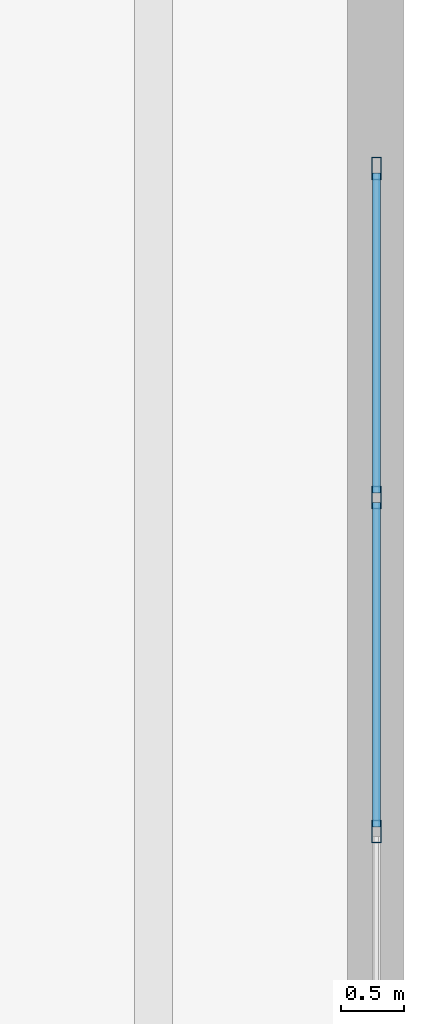
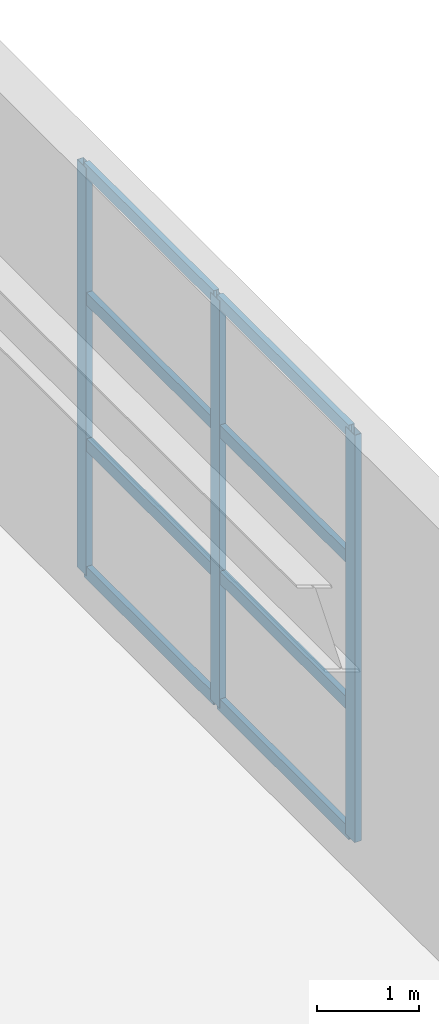
# One storey, part 16 of 34: 11 members, 1 element without a shape of its own.
"""IFC4 building model written with IfcOpenShell, lengths in metres."""

from ifc_helpers import new_model, si_unit, direction, frame, origin, origin_2d, place, context, subcontext, project, spatial, hollow_rectangle, extrude, material, layer, layer_set, material_profile, profile_set, type_object, element, aggregate, save


model = new_model("IFC4")

# Units and contexts
model_context = context("Model", 3, precision=1e-05, world=origin(), true_north=direction((0.0, 1.0)))
body_context = subcontext(model_context, "Body", "Model", "MODEL_VIEW")
ifc_project = project(units=[si_unit("LENGTHUNIT", "METRE"), si_unit("AREAUNIT", "SQUARE_METRE"), si_unit("VOLUMEUNIT", "CUBIC_METRE"), si_unit("PLANEANGLEUNIT", "RADIAN"), si_unit("MASSUNIT", "GRAM", prefix="KILO")], contexts=[model_context])

# Site, building, storey
site_placement = place(None, origin())
site = spatial("IfcSite", under=ifc_project, at=site_placement, CompositionType="ELEMENT")
building_placement = place(site_placement, origin())
building = spatial("IfcBuilding", under=site, at=building_placement, Name="Qiaolan Cultural Towers", CompositionType="ELEMENT")
storey_placement = place(building_placement, frame((0.0, 0.0, 16.5)))
storey = spatial("IfcBuildingStorey", under=building, at=storey_placement, Name="L03", CompositionType="ELEMENT", Elevation=16.5)

# Curtain wall, members
ifc_material_1 = material(Name="Unitized Anodized Aluminium Curtain Wall System", Category="aluminium")
ifc_layer = layer(ifc_material_1, 0.199951171875)
ifc_layer_set = layer_set([ifc_layer], Name="Unitized Anodized Aluminium Curtain Wall System")
curtain_wall_type = type_object("IfcCurtainWallType", Name="CWS-04", PredefinedType="NOTDEFINED", material=ifc_layer_set)
curtain_wall_placement = place(storey_placement, origin())
curtain_wall = element("IfcCurtainWall", 1, at=curtain_wall_placement, inside=storey, type_object=curtain_wall_type, Name="L03 East Exhibition Foyer Curtain Wall", PredefinedType="NOTDEFINED")
ifc_material_2 = material(Name="Extruded Aluminium 6063-T6", Category="aluminium")
ifc_material_profile_1 = material_profile(ifc_material_2, hollow_rectangle(XDim=0.074951171875, YDim=0.179931640625, WallThickness=0.00390625, at=origin_2d()), Name="CWM-180x75x4")
ifc_profile_set_1 = profile_set([ifc_material_profile_1], Name="Extruded Aluminium 6063-T6")
member_type_1 = type_object("IfcMemberType", Name="CWS-04-MUL", PredefinedType="MULLION", material=ifc_profile_set_1)
member_1_placement = place(storey_placement, frame((119.780029296875, 32.666748046875, 0.14990234375), z_axis=(0.0, 0.0, 1.0), x_axis=(-1.0, 0.0, 0.0)))
member_1 = element("IfcMember", 2, at=member_1_placement, type_object=member_type_1, Name="CW-4 mullion 2", PredefinedType="MULLION", context=body_context, shape_type="SweptSolid", body=[
    extrude(hollow_rectangle(XDim=0.074951171875, YDim=0.179931640625, WallThickness=0.00390625, at=origin_2d()), origin(), (0.0, 0.0, 1.0), 4.900146484375),
])
member_2_placement = place(storey_placement, frame((119.780029296875, 35.333251953125, 0.14990234375), z_axis=(0.0, 0.0, 1.0), x_axis=(-1.0, 0.0, 0.0)))
member_2 = element("IfcMember", 3, at=member_2_placement, type_object=member_type_1, Name="CW-4 mullion 3", PredefinedType="MULLION", context=body_context, shape_type="SweptSolid", body=[
    extrude(hollow_rectangle(XDim=0.074951171875, YDim=0.179931640625, WallThickness=0.00390625, at=origin_2d()), origin(), (0.0, 0.0, 1.0), 4.900146484375),
])
member_3_placement = place(storey_placement, frame((119.780029296875, 37.96240234375, 0.14990234375), z_axis=(0.0, 0.0, 1.0), x_axis=(-1.0, 0.0, 0.0)))
member_3 = element("IfcMember", 4, at=member_3_placement, type_object=member_type_1, Name="CW-4 mullion 4", PredefinedType="MULLION", context=body_context, shape_type="SweptSolid", body=[
    extrude(hollow_rectangle(XDim=0.074951171875, YDim=0.179931640625, WallThickness=0.00390625, at=origin_2d()), origin(), (0.0, 0.0, 1.0), 4.900146484375),
])
ifc_material_3 = material(Name="Extruded Aluminium 6063-T6", Category="aluminium")
ifc_material_profile_2 = material_profile(ifc_material_3, hollow_rectangle(XDim=0.06494140625, YDim=0.14990234375, WallThickness=0.00390625, at=origin_2d()), Name="CWT-150x65x4")
ifc_profile_set_2 = profile_set([ifc_material_profile_2], Name="Extruded Aluminium 6063-T6")
member_type_2 = type_object("IfcMemberType", Name="CWS-04-TRN", PredefinedType="USERDEFINED", material=ifc_profile_set_2)
member_4_placement = place(storey_placement, frame((119.780029296875, 32.7041015625, 0.1826171875), z_axis=(0.0, 1.0, 0.0), x_axis=(-1.0, 0.0, 0.0)))
member_4 = element("IfcMember", 5, at=member_4_placement, type_object=member_type_2, Name="CW-4 transom 2.1", ObjectType="TRANSOM", PredefinedType="USERDEFINED", context=body_context, shape_type="SweptSolid", body=[
    extrude(hollow_rectangle(XDim=0.06494140625, YDim=0.14990234375, WallThickness=0.00390625, at=origin_2d()), origin(), (0.0, 0.0, 1.0), 2.591796875),
])
member_5_placement = place(storey_placement, frame((119.780029296875, 32.7041015625, 1.719970703125), z_axis=(0.0, 1.0, 0.0), x_axis=(-1.0, 0.0, 0.0)))
member_5 = element("IfcMember", 6, at=member_5_placement, type_object=member_type_2, Name="CW-4 transom 2.2", ObjectType="TRANSOM", PredefinedType="USERDEFINED", context=body_context, shape_type="SweptSolid", body=[
    extrude(hollow_rectangle(XDim=0.06494140625, YDim=0.14990234375, WallThickness=0.00390625, at=origin_2d()), origin(), (0.0, 0.0, 1.0), 2.591796875),
])
member_6_placement = place(storey_placement, frame((119.780029296875, 32.7041015625, 3.47998046875), z_axis=(0.0, 1.0, 0.0), x_axis=(-1.0, 0.0, 0.0)))
member_6 = element("IfcMember", 7, at=member_6_placement, type_object=member_type_2, Name="CW-4 transom 2.3", ObjectType="TRANSOM", PredefinedType="USERDEFINED", context=body_context, shape_type="SweptSolid", body=[
    extrude(hollow_rectangle(XDim=0.06494140625, YDim=0.14990234375, WallThickness=0.00390625, at=origin_2d()), origin(), (0.0, 0.0, 1.0), 2.591796875),
])
member_7_placement = place(storey_placement, frame((119.780029296875, 32.7041015625, 5.017578125), z_axis=(0.0, 1.0, 0.0), x_axis=(-1.0, 0.0, 0.0)))
member_7 = element("IfcMember", 8, at=member_7_placement, type_object=member_type_2, Name="CW-4 transom 2.4", ObjectType="TRANSOM", PredefinedType="USERDEFINED", context=body_context, shape_type="SweptSolid", body=[
    extrude(hollow_rectangle(XDim=0.06494140625, YDim=0.14990234375, WallThickness=0.00390625, at=origin_2d()), origin(), (0.0, 0.0, 1.0), 2.591796875),
])
member_8_placement = place(storey_placement, frame((119.780029296875, 35.370849609375, 0.1826171875), z_axis=(0.0, 1.0, 0.0), x_axis=(-1.0, 0.0, 0.0)))
member_8 = element("IfcMember", 9, at=member_8_placement, type_object=member_type_2, Name="CW-4 transom 3.1", ObjectType="TRANSOM", PredefinedType="USERDEFINED", context=body_context, shape_type="SweptSolid", body=[
    extrude(hollow_rectangle(XDim=0.06494140625, YDim=0.14990234375, WallThickness=0.00390625, at=origin_2d()), origin(), (0.0, 0.0, 1.0), 2.55419921875),
])
member_9_placement = place(storey_placement, frame((119.780029296875, 35.370849609375, 1.719970703125), z_axis=(0.0, 1.0, 0.0), x_axis=(-1.0, 0.0, 0.0)))
member_9 = element("IfcMember", 10, at=member_9_placement, type_object=member_type_2, Name="CW-4 transom 3.2", ObjectType="TRANSOM", PredefinedType="USERDEFINED", context=body_context, shape_type="SweptSolid", body=[
    extrude(hollow_rectangle(XDim=0.06494140625, YDim=0.14990234375, WallThickness=0.00390625, at=origin_2d()), origin(), (0.0, 0.0, 1.0), 2.55419921875),
])
member_10_placement = place(storey_placement, frame((119.780029296875, 35.370849609375, 3.47998046875), z_axis=(0.0, 1.0, 0.0), x_axis=(-1.0, 0.0, 0.0)))
member_10 = element("IfcMember", 11, at=member_10_placement, type_object=member_type_2, Name="CW-4 transom 3.3", ObjectType="TRANSOM", PredefinedType="USERDEFINED", context=body_context, shape_type="SweptSolid", body=[
    extrude(hollow_rectangle(XDim=0.06494140625, YDim=0.14990234375, WallThickness=0.00390625, at=origin_2d()), origin(), (0.0, 0.0, 1.0), 2.55419921875),
])
member_11_placement = place(storey_placement, frame((119.780029296875, 35.370849609375, 5.017578125), z_axis=(0.0, 1.0, 0.0), x_axis=(-1.0, 0.0, 0.0)))
member_11 = element("IfcMember", 12, at=member_11_placement, type_object=member_type_2, Name="CW-4 transom 3.4", ObjectType="TRANSOM", PredefinedType="USERDEFINED", context=body_context, shape_type="SweptSolid", body=[
    extrude(hollow_rectangle(XDim=0.06494140625, YDim=0.14990234375, WallThickness=0.00390625, at=origin_2d()), origin(), (0.0, 0.0, 1.0), 2.55419921875),
])
aggregate(curtain_wall, [member_1, member_2, member_3, member_4, member_5, member_6, member_7, member_8, member_9, member_10, member_11])

save(model, "model.ifc")
